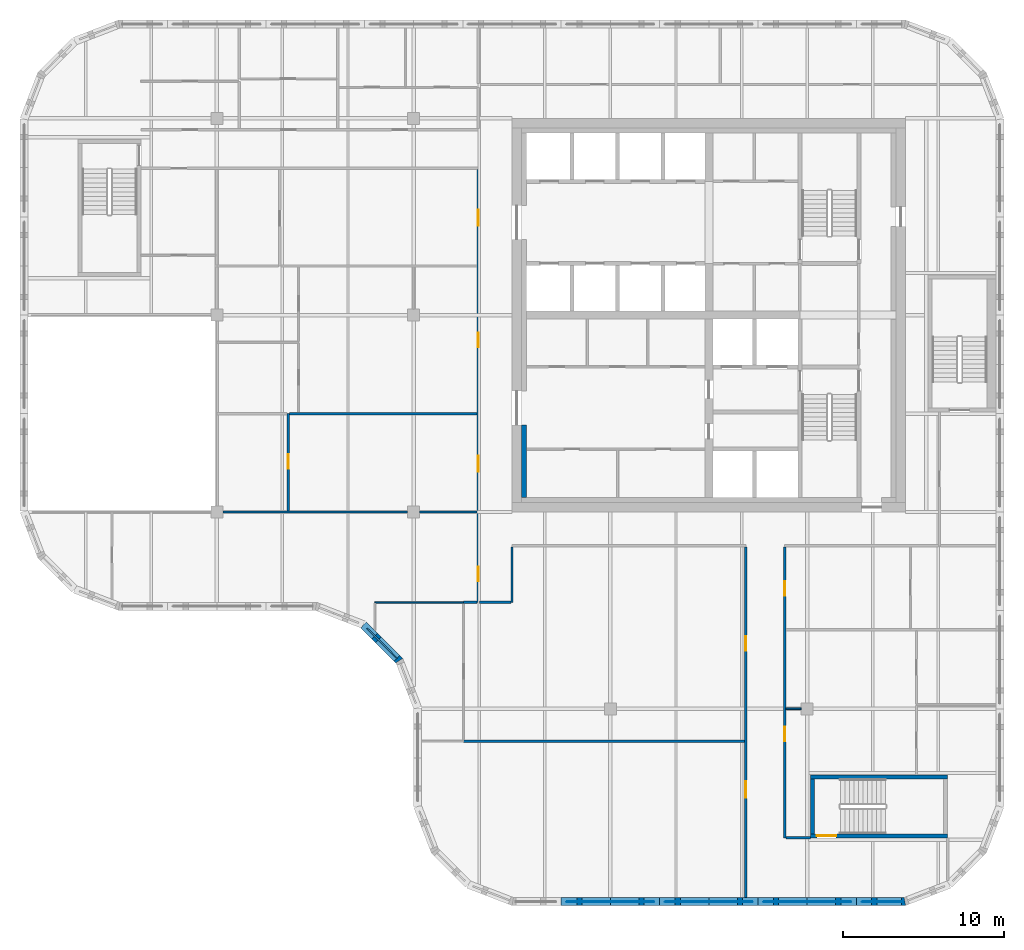
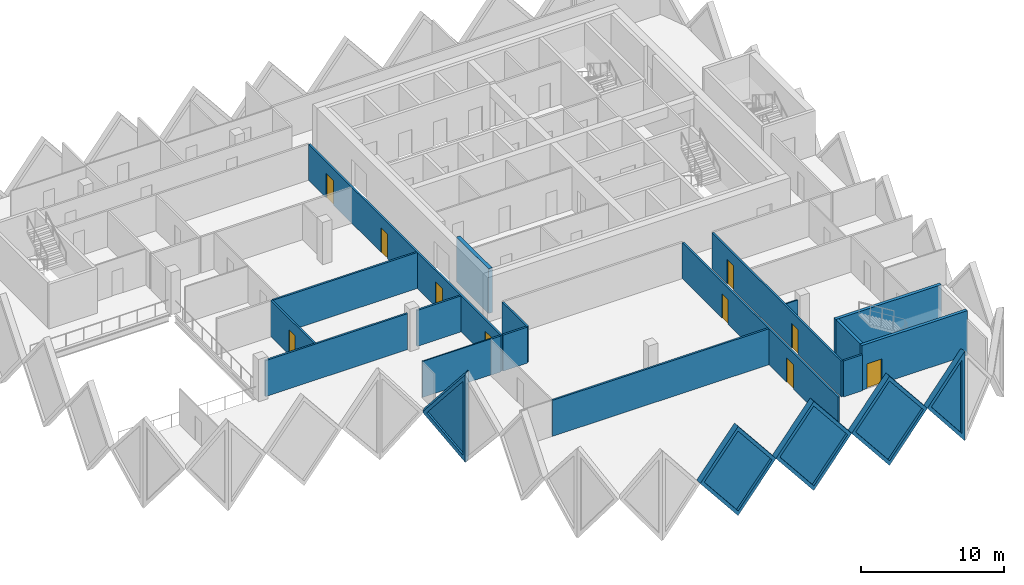
# One storey, part 4 of 11: 23 walls, 10 doors, 5 plates, 15 openings.
"""IFC4 building model written with IfcOpenShell, lengths in metres."""

from ifc_helpers import new_model, si_unit, direction, frame, frame_2d, origin, place, context, subcontext, project, spatial, polyline, rectangle, outline, extrude, faceted_brep, source, transform, mapped, material, layer, layer_set, type_object, element, fill, save


model = new_model("IFC4")

# Units and contexts
model_context = context("Model", 3, precision=1e-05, world=origin(), true_north=direction((0.0, 1.0)))
body_context = subcontext(model_context, "Body", "Model", "MODEL_VIEW")
ifc_project = project(units=[si_unit("LENGTHUNIT", "METRE"), si_unit("AREAUNIT", "SQUARE_METRE"), si_unit("VOLUMEUNIT", "CUBIC_METRE"), si_unit("PLANEANGLEUNIT", "RADIAN"), si_unit("MASSUNIT", "GRAM", prefix="KILO")], contexts=[model_context])

# Site, building, storey
site_placement = place(None, origin())
site = spatial("IfcSite", under=ifc_project, at=site_placement, CompositionType="ELEMENT")
building_placement = place(site_placement, origin())
building = spatial("IfcBuilding", under=site, at=building_placement, Name="Tessera Gate Towers", CompositionType="ELEMENT")
storey_placement = place(building_placement, frame((0.0, 0.0, 170.60009765625)))
storey = spatial("IfcBuildingStorey", under=building, at=storey_placement, Name="L42", CompositionType="ELEMENT", Elevation=170.60009765625)

# Wall, opening, door
ifc_material_1 = material(Name="Concrete C40/50", Category="concrete")
ifc_layer_1 = layer(ifc_material_1, 0.25)
ifc_layer_set_1 = layer_set([ifc_layer_1], Name="CORE ENCLOSURE WALL 250")
wall_type_1 = type_object("IfcWallType", Name="CORE ENCLOSURE WALL 250", PredefinedType="SOLIDWALL", material=ifc_layer_set_1)
wall_1_placement = place(storey_placement, frame((57.5, 4.324951171875, 0.0), z_axis=(0.0, 0.0, 1.0), x_axis=(-1.0, 0.0, 0.0)))
wall_1 = element("IfcWall", 1, at=wall_1_placement, inside=storey, type_object=wall_type_1, Name="L42 ST4 enclosure wall", PredefinedType="SOLIDWALL", context=body_context, shape_type="SweptSolid", body=[
    extrude(rectangle(XDim=8.5, YDim=0.25, at=frame_2d((4.25, 0.0))), origin(), (0.0, 0.0, 1.0), 3.7998046875),
])
shared_shape_1 = source(origin(), body_context, "Body", "SweptSolid", [
    extrude(rectangle(XDim=1.199951171875, YDim=2.10009765625, at=frame_2d((0.60009765625, 1.050048828125))), frame((0.0, 0.135009765625, 0.0), z_axis=(0.0, -1.0, 0.0), x_axis=(1.0, 0.0, 0.0)), (0.0, 0.0, 1.0), 0.27001953125),
])
opening_1_placement = place(wall_1_placement, frame((6.89990234375, 0.0, 0.0)))
opening_1 = element("IfcOpeningElement", 2, at=opening_1_placement, cuts=wall_1, Name="Opening SD-ST4-1", PredefinedType="OPENING", context=body_context, shape_type="MappedRepresentation", body=[
    mapped(shared_shape_1, transform((0.0, 0.0, 0.0), scale=1.0)),
])
ifc_material_2 = material(Name="Hollow steel fire door", Category="steel")
door_type_1 = type_object("IfcDoorType", Name="CORE DOOR SD 1200x2100", OperationType="NOTDEFINED", PredefinedType="DOOR", material=ifc_material_2)
shared_shape_2 = source(origin(), body_context, "Body", "SweptSolid", [
    extrude(rectangle(XDim=1.199951171875, YDim=2.10009765625, at=frame_2d((0.60009765625, 1.050048828125))), frame((0.0, 0.02490234375, 0.0), z_axis=(0.0, -1.0, 0.0), x_axis=(1.0, 0.0, 0.0)), (0.0, 0.0, 1.0), 0.050048828125),
])
door_1_placement = place(opening_1_placement, origin())
door_1 = element("IfcDoor", 3, at=door_1_placement, inside=storey, type_object=door_type_1, Name="Stair door", OperationType="SINGLE_SWING_RIGHT", OverallHeight=2.10009765625, OverallWidth=1.199951171875, PredefinedType="DOOR", context=body_context, shape_type="MappedRepresentation", body=[
    mapped(shared_shape_2, transform((0.0, 0.0, 0.0), scale=1.0)),
])
fill(opening_1, door_1)

# Walls
wall_2_placement = place(storey_placement, frame((49.125, 4.449951171875, 0.0), z_axis=(0.0, 0.0, 1.0), x_axis=(0.0, 1.0, 0.0)))
element("IfcWall", 4, at=wall_2_placement, inside=storey, type_object=wall_type_1, Name="L42 ST4 enclosure wall", PredefinedType="SOLIDWALL", context=body_context, shape_type="SweptSolid", body=[
    extrude(rectangle(XDim=3.400146484375, YDim=0.25, at=frame_2d((1.7001953125, 0.0))), origin(), (0.0, 0.0, 1.0), 3.7998046875),
])
wall_3_placement = place(storey_placement, frame((49.0, 7.97509765625, 0.0), z_axis=(0.0, 0.0, 1.0), x_axis=(1.0, 0.0, 0.0)))
element("IfcWall", 5, at=wall_3_placement, inside=storey, type_object=wall_type_1, Name="L42 ST4 enclosure wall", PredefinedType="SOLIDWALL", context=body_context, shape_type="SweptSolid", body=[
    extrude(rectangle(XDim=8.5, YDim=0.25, at=frame_2d((4.25, 0.0))), origin(), (0.0, 0.0, 1.0), 3.7998046875),
])
ifc_material_3 = material(Name="Concrete C50/60", Category="concrete")
ifc_layer_2 = layer(ifc_material_3, 0.300048828125)
ifc_layer_set_2 = layer_set([ifc_layer_2], Name="CORE WALL THICKENING 300")
wall_type_2 = type_object("IfcWallType", Name="CORE WALL THICKENING 300", PredefinedType="SOLIDWALL", material=ifc_layer_set_2)
wall_4_placement = place(storey_placement, frame((31.25, 25.300048828125, 0.0), z_axis=(0.0, 0.0, 1.0), x_axis=(0.0, 1.0, 0.0)))
element("IfcWall", 6, at=wall_4_placement, inside=storey, type_object=wall_type_2, Name="Core wall thickening W L42", PredefinedType="SOLIDWALL", context=body_context, shape_type="SweptSolid", body=[
    extrude(rectangle(XDim=4.5, YDim=0.300048828125, at=frame_2d((2.25, 0.0))), origin(), (0.0, 0.0, 1.0), 3.7998046875),
])

# Wall, openings, doors
ifc_material_4 = material(Name="Gypsum board on steel studs, mineral wool", Category="steel")
ifc_layer_3 = layer(ifc_material_4, 0.14990234375)
ifc_layer_set_3 = layer_set([ifc_layer_3], Name="CORRIDOR WALL 150")
wall_type_3 = type_object("IfcWallType", Name="CORRIDOR WALL 150", PredefinedType="PARTITIONING", material=ifc_layer_set_3)
wall_5_placement = place(storey_placement, frame((45.0, 0.5, 0.0), z_axis=(0.0, 0.0, 1.0), x_axis=(0.0, 1.0, 0.0)))
wall_5 = element("IfcWall", 7, at=wall_5_placement, inside=storey, type_object=wall_type_3, Name="T1-L42-PW-001", PredefinedType="PARTITIONING", context=body_context, shape_type="SweptSolid", body=[
    extrude(rectangle(XDim=21.72412109375, YDim=0.14990234375, at=frame_2d((10.862060546875, 0.0))), origin(), (0.0, 0.0, 1.0), 3.06689453125),
])
shared_shape_3 = source(origin(), body_context, "Body", "SweptSolid", [
    extrude(rectangle(XDim=1.0, YDim=2.10009765625, at=frame_2d((0.5, 1.050048828125))), frame((0.0, 0.0849609375, 0.0), z_axis=(0.0, -1.0, 0.0), x_axis=(1.0, 0.0, 0.0)), (0.0, 0.0, 1.0), 0.169921875),
])
opening_2_placement = place(wall_5_placement, frame((6.199951171875, 0.0, 0.0)))
opening_2 = element("IfcOpeningElement", 8, at=opening_2_placement, cuts=wall_5, Name="Opening D2100FD60-A15-02", PredefinedType="OPENING", context=body_context, shape_type="MappedRepresentation", body=[
    mapped(shared_shape_3, transform((0.0, 0.0, 0.0), scale=1.0)),
])
shared_shape_4 = source(origin(), body_context, "Body", "SweptSolid", [
    extrude(rectangle(XDim=0.89990234375, YDim=2.10009765625, at=frame_2d((0.449951171875, 1.050048828125))), frame((0.0, 0.0849609375, 0.0), z_axis=(0.0, -1.0, 0.0), x_axis=(1.0, 0.0, 0.0)), (0.0, 0.0, 1.0), 0.169921875),
])
opening_3_placement = place(wall_5_placement, frame((15.300048828125, 0.0, 0.0)))
opening_3 = element("IfcOpeningElement", 9, at=opening_3_placement, cuts=wall_5, Name="Opening D890FD60-A15-09", PredefinedType="OPENING", context=body_context, shape_type="MappedRepresentation", body=[
    mapped(shared_shape_4, transform((0.0, 0.0, 0.0), scale=1.0)),
])
ifc_material_5 = material(Name="Timber door leaf in steel frame", Category="steel")
door_type_2 = type_object("IfcDoorType", Name="CORRIDOR DOOR 900 FD60", OperationType="NOTDEFINED", PredefinedType="DOOR", material=ifc_material_5)
shared_shape_5 = source(origin(), body_context, "Body", "SweptSolid", [
    extrude(rectangle(XDim=0.89990234375, YDim=2.10009765625, at=frame_2d((0.449951171875, 1.050048828125))), frame((0.0, 0.02490234375, 0.0), z_axis=(0.0, -1.0, 0.0), x_axis=(1.0, 0.0, 0.0)), (0.0, 0.0, 1.0), 0.050048828125),
])
door_2_placement = place(opening_3_placement, origin())
door_2 = element("IfcDoor", 10, at=door_2_placement, inside=storey, type_object=door_type_2, Name="T1-L42-PD-026", OperationType="SINGLE_SWING_LEFT", OverallHeight=2.10009765625, OverallWidth=0.89990234375, PredefinedType="DOOR", context=body_context, shape_type="MappedRepresentation", body=[
    mapped(shared_shape_5, transform((0.0, 0.0, 0.0), scale=1.0)),
])
fill(opening_3, door_2)
ifc_material_6 = material(Name="Timber door leaf in steel frame", Category="steel")
door_type_3 = type_object("IfcDoorType", Name="TENANCY ENTRANCE DOOR 1000 FD60", OperationType="NOTDEFINED", PredefinedType="DOOR", material=ifc_material_6)
shared_shape_6 = source(origin(), body_context, "Body", "SweptSolid", [
    extrude(rectangle(XDim=1.0, YDim=2.10009765625, at=frame_2d((0.5, 1.050048828125))), frame((0.0, 0.02490234375, 0.0), z_axis=(0.0, -1.0, 0.0), x_axis=(1.0, 0.0, 0.0)), (0.0, 0.0, 1.0), 0.050048828125),
])
door_3_placement = place(opening_2_placement, origin())
door_3 = element("IfcDoor", 11, at=door_3_placement, inside=storey, type_object=door_type_3, Name="T1-L42-PD-016", OperationType="SINGLE_SWING_LEFT", OverallHeight=2.10009765625, OverallWidth=1.0, PredefinedType="DOOR", context=body_context, shape_type="MappedRepresentation", body=[
    mapped(shared_shape_6, transform((0.0, 0.0, 0.0), scale=1.0)),
])
fill(opening_2, door_3)

wall_6_placement = place(storey_placement, frame((47.39990234375, 22.22412109375, 0.0), z_axis=(0.0, 0.0, 1.0), x_axis=(0.0, -1.0, 0.0)))
wall_6 = element("IfcWall", 12, at=wall_6_placement, inside=storey, type_object=wall_type_3, Name="T1-L42-PW-003", PredefinedType="PARTITIONING", context=body_context, shape_type="SweptSolid", body=[
    extrude(rectangle(XDim=18.024169921875, YDim=0.14990234375, at=frame_2d((9.01220703125, 0.0))), origin(), (0.0, 0.0, 1.0), 3.06689453125),
])
opening_4_placement = place(wall_6_placement, frame((2.123046875, 0.0, 0.0)))
opening_4 = element("IfcOpeningElement", 13, at=opening_4_placement, cuts=wall_6, Name="Opening D890FD60-A15-03", PredefinedType="OPENING", context=body_context, shape_type="MappedRepresentation", body=[
    mapped(shared_shape_4, transform((0.0, 0.0, 0.0), scale=1.0)),
])
opening_5_placement = place(wall_6_placement, frame((11.1240234375, 0.0, 0.0)))
opening_5 = element("IfcOpeningElement", 14, at=opening_5_placement, cuts=wall_6, Name="Opening D890FD60-A15-10", PredefinedType="OPENING", context=body_context, shape_type="MappedRepresentation", body=[
    mapped(shared_shape_4, transform((0.0, 0.0, 0.0), scale=1.0)),
])
door_4_placement = place(opening_4_placement, origin())
door_4 = element("IfcDoor", 15, at=door_4_placement, inside=storey, type_object=door_type_2, Name="T1-L42-PD-011", OperationType="SINGLE_SWING_RIGHT", OverallHeight=2.10009765625, OverallWidth=0.89990234375, PredefinedType="DOOR", context=body_context, shape_type="MappedRepresentation", body=[
    mapped(shared_shape_5, transform((0.0, 0.0, 0.0), scale=1.0)),
])
fill(opening_4, door_4)
door_5_placement = place(opening_5_placement, origin())
door_5 = element("IfcDoor", 16, at=door_5_placement, inside=storey, type_object=door_type_2, Name="T1-L42-PD-027", OperationType="SINGLE_SWING_RIGHT", OverallHeight=2.10009765625, OverallWidth=0.89990234375, PredefinedType="DOOR", context=body_context, shape_type="MappedRepresentation", body=[
    mapped(shared_shape_5, transform((0.0, 0.0, 0.0), scale=1.0)),
])
fill(opening_5, door_5)

# Wall
wall_7_placement = place(storey_placement, frame((47.47607421875, 4.199951171875, 0.0), z_axis=(0.0, 0.0, 1.0), x_axis=(1.0, 0.0, 0.0)))
element("IfcWall", 17, at=wall_7_placement, inside=storey, type_object=wall_type_3, Name="T1-L42-PW-004", PredefinedType="PARTITIONING", context=body_context, shape_type="SweptSolid", body=[
    extrude(rectangle(XDim=1.52392578125, YDim=0.14990234375, at=frame_2d((0.761962890625, 0.0))), origin(), (0.0, 0.0, 1.0), 3.06689453125),
])

# Wall, openings, doors
wall_8_placement = place(storey_placement, frame((28.39990234375, 18.800048828125, 0.0), z_axis=(0.0, 0.0, 1.0), x_axis=(0.0, 1.0, 0.0)))
wall_8 = element("IfcWall", 18, at=wall_8_placement, inside=storey, type_object=wall_type_3, Name="T1-L42-PW-017", PredefinedType="PARTITIONING", context=body_context, shape_type="SweptSolid", body=[
    extrude(rectangle(XDim=26.823974609375, YDim=0.14990234375, at=frame_2d((13.412109375, 0.0))), origin(), (0.0, 0.0, 1.0), 3.06689453125),
])
opening_6_placement = place(wall_8_placement, frame((1.300048828125, 0.0, 0.0)))
opening_6 = element("IfcOpeningElement", 19, at=opening_6_placement, cuts=wall_8, Name="Opening D890FD60-A15-01", PredefinedType="OPENING", context=body_context, shape_type="MappedRepresentation", body=[
    mapped(shared_shape_4, transform((0.0, 0.0, 0.0), scale=1.0)),
])
opening_7_placement = place(wall_8_placement, frame((23.35107421875, 0.0, 0.0)))
opening_7 = element("IfcOpeningElement", 20, at=opening_7_placement, cuts=wall_8, Name="Opening D2100FD60-A15-01", PredefinedType="OPENING", context=body_context, shape_type="MappedRepresentation", body=[
    mapped(shared_shape_3, transform((0.0, 0.0, 0.0), scale=1.0)),
])
opening_8_placement = place(wall_8_placement, frame((8.10009765625, 0.0, 0.0)))
opening_8 = element("IfcOpeningElement", 21, at=opening_8_placement, cuts=wall_8, Name="Opening D2100FD60-A15-03", PredefinedType="OPENING", context=body_context, shape_type="MappedRepresentation", body=[
    mapped(shared_shape_3, transform((0.0, 0.0, 0.0), scale=1.0)),
])
opening_9_placement = place(wall_8_placement, frame((15.800048828125, 0.0, 0.0)))
opening_9 = element("IfcOpeningElement", 22, at=opening_9_placement, cuts=wall_8, Name="Opening D890FD60-A15-08", PredefinedType="OPENING", context=body_context, shape_type="MappedRepresentation", body=[
    mapped(shared_shape_4, transform((0.0, 0.0, 0.0), scale=1.0)),
])
door_6_placement = place(opening_6_placement, origin())
door_6 = element("IfcDoor", 23, at=door_6_placement, inside=storey, type_object=door_type_2, Name="T1-L42-PD-001", OperationType="SINGLE_SWING_LEFT", OverallHeight=2.10009765625, OverallWidth=0.89990234375, PredefinedType="DOOR", context=body_context, shape_type="MappedRepresentation", body=[
    mapped(shared_shape_5, transform((0.0, 0.0, 0.0), scale=1.0)),
])
fill(opening_6, door_6)
door_7_placement = place(opening_9_placement, origin())
door_7 = element("IfcDoor", 24, at=door_7_placement, inside=storey, type_object=door_type_2, Name="T1-L42-PD-025", OperationType="SINGLE_SWING_LEFT", OverallHeight=2.10009765625, OverallWidth=0.89990234375, PredefinedType="DOOR", context=body_context, shape_type="MappedRepresentation", body=[
    mapped(shared_shape_5, transform((0.0, 0.0, 0.0), scale=1.0)),
])
fill(opening_9, door_7)
door_8_placement = place(opening_7_placement, origin())
door_8 = element("IfcDoor", 25, at=door_8_placement, inside=storey, type_object=door_type_3, Name="T1-L42-PD-014", OperationType="SINGLE_SWING_LEFT", OverallHeight=2.10009765625, OverallWidth=1.0, PredefinedType="DOOR", context=body_context, shape_type="MappedRepresentation", body=[
    mapped(shared_shape_6, transform((0.0, 0.0, 0.0), scale=1.0)),
])
fill(opening_7, door_8)
door_9_placement = place(opening_8_placement, origin())
door_9 = element("IfcDoor", 26, at=door_9_placement, inside=storey, type_object=door_type_3, Name="T1-L42-PD-020", OperationType="SINGLE_SWING_LEFT", OverallHeight=2.10009765625, OverallWidth=1.0, PredefinedType="DOOR", context=body_context, shape_type="MappedRepresentation", body=[
    mapped(shared_shape_6, transform((0.0, 0.0, 0.0), scale=1.0)),
])
fill(opening_8, door_9)

# Walls
wall_9_placement = place(storey_placement, frame((28.47607421875, 18.800048828125, 0.0), z_axis=(0.0, 0.0, 1.0), x_axis=(1.0, 0.0, 0.0)))
element("IfcWall", 27, at=wall_9_placement, inside=storey, type_object=wall_type_3, Name="T1-L42-PW-018", PredefinedType="PARTITIONING", context=body_context, shape_type="SweptSolid", body=[
    extrude(rectangle(XDim=1.947998046875, YDim=0.14990234375, at=frame_2d((0.97412109375, 0.0))), origin(), (0.0, 0.0, 1.0), 3.06689453125),
])
wall_10_placement = place(storey_placement, frame((30.5, 18.800048828125, 0.0), z_axis=(0.0, 0.0, 1.0), x_axis=(0.0, 1.0, 0.0)))
element("IfcWall", 28, at=wall_10_placement, inside=storey, type_object=wall_type_3, Name="T1-L42-PW-019", PredefinedType="PARTITIONING", context=body_context, shape_type="SweptSolid", body=[
    extrude(rectangle(XDim=3.424072265625, YDim=0.14990234375, at=frame_2d((1.7119140625, 0.0))), origin(), (0.0, 0.0, 1.0), 3.06689453125),
])
ifc_material_7 = material(Name="Glass", Category="glass")
ifc_layer_4 = layer(ifc_material_7, 0.10009765625)
ifc_layer_set_4 = layer_set([ifc_layer_4], Name="GLAZED PARTITION 100")
wall_type_4 = type_object("IfcWallType", Name="GLAZED PARTITION 100", PredefinedType="PARTITIONING", material=ifc_layer_set_4)
wall_11_placement = place(storey_placement, frame((22.0, 18.800048828125, 0.0), z_axis=(0.0, 0.0, 1.0), x_axis=(1.0, 0.0, 0.0)))
element("IfcWall", 29, at=wall_11_placement, inside=storey, type_object=wall_type_4, Name="T1-L42-PW-015", PredefinedType="PARTITIONING", context=body_context, shape_type="SweptSolid", body=[
    extrude(rectangle(XDim=5.4990234375, YDim=0.10009765625, at=frame_2d((2.74951171875, 0.0))), origin(), (0.0, 0.0, 1.0), 3.06689453125),
])
ifc_material_8 = material(Name="Gypsum board on steel studs", Category="steel")
ifc_layer_5 = layer(ifc_material_8, 0.10009765625)
ifc_layer_set_5 = layer_set([ifc_layer_5], Name="PARTITION 100")
wall_type_5 = type_object("IfcWallType", Name="PARTITION 100", PredefinedType="PARTITIONING", material=ifc_layer_set_5)
wall_12_placement = place(storey_placement, frame((48.425048828125, 12.199951171875, 0.0), z_axis=(0.0, 0.0, 1.0), x_axis=(-1.0, 0.0, 0.0)))
element("IfcWall", 30, at=wall_12_placement, inside=storey, type_object=wall_type_5, Name="T1-L42-PW-009", PredefinedType="PARTITIONING", context=body_context, shape_type="SweptSolid", body=[
    extrude(rectangle(XDim=0.949951171875, YDim=0.10009765625, at=frame_2d((0.47509765625, 0.0))), origin(), (0.0, 0.0, 1.0), 3.06689453125),
])
ifc_material_9 = material(Name="Gypsum board on steel studs, mineral wool", Category="steel")
ifc_layer_6 = layer(ifc_material_9, 0.14990234375)
ifc_layer_set_6 = layer_set([ifc_layer_6], Name="TENANCY WALL 150")
wall_type_6 = type_object("IfcWallType", Name="TENANCY WALL 150", PredefinedType="PARTITIONING", material=ifc_layer_set_6)
wall_13_placement = place(storey_placement, frame((27.5, 10.199951171875, 0.0), z_axis=(0.0, 0.0, 1.0), x_axis=(1.0, 0.0, 0.0)))
element("IfcWall", 31, at=wall_13_placement, inside=storey, type_object=wall_type_6, Name="T1-L42-PW-007", PredefinedType="PARTITIONING", context=body_context, shape_type="SweptSolid", body=[
    extrude(rectangle(XDim=17.424072265625, YDim=0.14990234375, at=frame_2d((8.7119140625, 0.0))), origin(), (0.0, 0.0, 1.0), 3.06689453125),
])
wall_14_placement = place(storey_placement, frame((27.5, 18.800048828125, 0.0), z_axis=(0.0, 0.0, 1.0), x_axis=(1.0, 0.0, 0.0)))
element("IfcWall", 32, at=wall_14_placement, inside=storey, type_object=wall_type_6, Name="T1-L42-PW-016", PredefinedType="PARTITIONING", context=body_context, shape_type="SweptSolid", body=[
    extrude(rectangle(XDim=0.823974609375, YDim=0.14990234375, at=frame_2d((0.412109375, 0.0))), origin(), (0.0, 0.0, 1.0), 3.06689453125),
])
wall_15_placement = place(storey_placement, frame((12.575927734375, 24.39990234375, 0.0), z_axis=(0.0, 0.0, 1.0), x_axis=(1.0, 0.0, 0.0)))
element("IfcWall", 33, at=wall_15_placement, inside=storey, type_object=wall_type_6, Name="T1-L42-PW-025", PredefinedType="PARTITIONING", context=body_context, shape_type="SweptSolid", body=[
    extrude(rectangle(XDim=11.447998046875, YDim=0.14990234375, at=frame_2d((5.72412109375, 0.0))), origin(), (0.0, 0.0, 1.0), 3.06689453125),
])
wall_16_placement = place(storey_placement, frame((24.77587890625, 24.39990234375, 0.0), z_axis=(0.0, 0.0, 1.0), x_axis=(1.0, 0.0, 0.0)))
element("IfcWall", 34, at=wall_16_placement, inside=storey, type_object=wall_type_6, Name="T1-L42-PW-026", PredefinedType="PARTITIONING", context=body_context, shape_type="SweptSolid", body=[
    extrude(rectangle(XDim=3.548095703125, YDim=0.14990234375, at=frame_2d((1.77392578125, 0.0))), origin(), (0.0, 0.0, 1.0), 3.06689453125),
])

# Wall, opening, door
wall_17_placement = place(storey_placement, frame((16.625, 24.47607421875, 0.0), z_axis=(0.0, 0.0, 1.0), x_axis=(0.0, 1.0, 0.0)))
wall_17 = element("IfcWall", 35, at=wall_17_placement, inside=storey, type_object=wall_type_6, Name="T1-L42-PW-027", PredefinedType="PARTITIONING", context=body_context, shape_type="SweptSolid", body=[
    extrude(rectangle(XDim=6.02392578125, YDim=0.14990234375, at=frame_2d((3.011962890625, 0.0))), origin(), (0.0, 0.0, 1.0), 3.06689453125),
])
opening_10_placement = place(wall_17_placement, frame((2.60009765625, 0.0, 0.0)))
opening_10 = element("IfcOpeningElement", 36, at=opening_10_placement, cuts=wall_17, Name="Opening D190-A15-12", PredefinedType="OPENING", context=body_context, shape_type="MappedRepresentation", body=[
    mapped(shared_shape_4, transform((0.0, 0.0, 0.0), scale=1.0)),
])
ifc_material_10 = material(Name="Timber door leaf in steel frame", Category="steel")
door_type_4 = type_object("IfcDoorType", Name="INTERNAL DOOR 900 NOT RATED", OperationType="NOTDEFINED", PredefinedType="DOOR", material=ifc_material_10)
door_10_placement = place(opening_10_placement, origin())
door_10 = element("IfcDoor", 37, at=door_10_placement, inside=storey, type_object=door_type_4, Name="T1-L42-PD-018", OperationType="SINGLE_SWING_LEFT", OverallHeight=2.10009765625, OverallWidth=0.89990234375, PredefinedType="DOOR", context=body_context, shape_type="MappedRepresentation", body=[
    mapped(shared_shape_5, transform((0.0, 0.0, 0.0), scale=1.0)),
])
fill(opening_10, door_10)

# Wall
wall_18_placement = place(storey_placement, frame((16.700927734375, 30.5, 0.0), z_axis=(0.0, 0.0, 1.0), x_axis=(1.0, 0.0, 0.0)))
element("IfcWall", 38, at=wall_18_placement, inside=storey, type_object=wall_type_6, Name="T1-L42-PW-029", PredefinedType="PARTITIONING", context=body_context, shape_type="SweptSolid", body=[
    extrude(rectangle(XDim=11.623046875, YDim=0.14990234375, at=frame_2d((5.8115234375, 0.0))), origin(), (0.0, 0.0, 1.0), 3.06689453125),
])

# Wall, opening, plate
ifc_material_11 = material(Name="Precast concrete C60/75 white", Category="concrete")
ifc_layer_7 = layer(ifc_material_11, 0.5)
ifc_layer_set_7 = layer_set([ifc_layer_7], Name="TS1 tessera")
wall_type_7 = type_object("IfcWallType", Name="TS1 tessera", PredefinedType="SOLIDWALL", material=ifc_layer_set_7)
shared_shape_7 = source(origin(), body_context, "Body", "Brep", [
    faceted_brep([(3.050048828125, -0.25, 0.0), (6.099853515625, -0.25, 3.7998046875), (6.099853515625, -0.25, 3.80029296875), (3.050048828125, -0.25, 7.599853515625), (0.0, -0.25, 3.800048828125), (0.0, 0.25, 3.800048828125), (3.050048828125, 0.25, 7.599853515625), (6.099853515625, 0.25, 3.80029296875), (6.099853515625, 0.25, 3.7998046875), (3.050048828125, 0.25, 0.0)], [[[0, 1, 2, 3, 4]], [[5, 6, 7, 8, 9]], [[9, 8, 1, 0]], [[7, 6, 3, 2]], [[6, 5, 4, 3]], [[5, 9, 0, 4]], [[1, 8, 7, 2]]]),
])
wall_19_placement = place(storey_placement, frame((33.550048828125, 0.25, -3.800048828125), z_axis=(0.0, 0.0, 1.0), x_axis=(1.0, 0.0, 0.0)))
wall_19 = element("IfcWall", 39, at=wall_19_placement, inside=storey, type_object=wall_type_7, Name="Precast tessera T1 TS1-0713", PredefinedType="SOLIDWALL", context=body_context, shape_type="MappedRepresentation", body=[
    mapped(shared_shape_7, transform((0.0, 0.0, 0.0), scale=1.0)),
])
shared_shape_8 = source(origin(), body_context, "Body", "SweptSolid", [
    extrude(outline(polyline([(3.050048828125, 0.3994140625), (5.779541015625, 3.800048828125), (3.050048828125, 7.200439453125), (0.320556640625, 3.800048828125), (3.050048828125, 0.3994140625)])), frame((0.0, 0.260009765625, 0.0), z_axis=(0.0, -1.0, 0.0), x_axis=(1.0, 0.0, 0.0)), (0.0, 0.0, 1.0), 0.52001953125),
])
opening_11_placement = place(wall_19_placement, origin())
opening_11 = element("IfcOpeningElement", 40, at=opening_11_placement, cuts=wall_19, Name="Opening T1-PL2-1459", PredefinedType="OPENING", context=body_context, shape_type="MappedRepresentation", body=[
    mapped(shared_shape_8, transform((0.0, 0.0, 0.0), scale=1.0)),
])
ifc_material_12 = material(Name="Low-e laminated glass", Category="glass")
ifc_layer_8 = layer(ifc_material_12, 0.06005859375)
ifc_layer_set_8 = layer_set([ifc_layer_8], Name="PL2 rhombic pane")
plate_type = type_object("IfcPlateType", Name="PL2 rhombic pane", PredefinedType="SHEET", material=ifc_layer_set_8)
shared_shape_9 = source(origin(), body_context, "Body", "SweptSolid", [
    extrude(outline(polyline([(3.050048828125, 0.3994140625), (5.779541015625, 3.800048828125), (3.050048828125, 7.200439453125), (0.320556640625, 3.800048828125), (3.050048828125, 0.3994140625)])), frame((0.0, 0.030029296875, 0.0), z_axis=(0.0, -1.0, 0.0), x_axis=(1.0, 0.0, 0.0)), (0.0, 0.0, 1.0), 0.06005859375),
])
plate_1_placement = place(opening_11_placement, origin())
plate_1 = element("IfcPlate", 41, at=plate_1_placement, inside=storey, type_object=plate_type, Name="Glass pane T1 PL2-1459", PredefinedType="SHEET", context=body_context, shape_type="MappedRepresentation", body=[
    mapped(shared_shape_9, transform((0.0, 0.0, 0.0), scale=1.0)),
])
fill(opening_11, plate_1)

shared_shape_10 = source(origin(), body_context, "Body", "SweptSolid", [
    extrude(outline(polyline([(3.050048828125, 0.0), (6.10009765625, 3.800048828125), (3.050048828125, 7.599853515625), (0.0, 3.800048828125), (3.050048828125, 0.0)])), frame((0.0, 0.25, 0.0), z_axis=(0.0, -1.0, 0.0), x_axis=(1.0, 0.0, 0.0)), (0.0, 0.0, 1.0), 0.5),
])
wall_20_placement = place(storey_placement, frame((39.64990234375, 0.25, -3.800048828125), z_axis=(0.0, 0.0, 1.0), x_axis=(1.0, 0.0, 0.0)))
wall_20 = element("IfcWall", 42, at=wall_20_placement, inside=storey, type_object=wall_type_7, Name="Precast tessera T1 TS1-0714", PredefinedType="SOLIDWALL", context=body_context, shape_type="MappedRepresentation", body=[
    mapped(shared_shape_10, transform((0.0, 0.0, 0.0), scale=1.0)),
])
opening_12_placement = place(wall_20_placement, origin())
opening_12 = element("IfcOpeningElement", 43, at=opening_12_placement, cuts=wall_20, Name="Opening T1-PL2-1460", PredefinedType="OPENING", context=body_context, shape_type="MappedRepresentation", body=[
    mapped(shared_shape_8, transform((0.0, 0.0, 0.0), scale=1.0)),
])
plate_2_placement = place(opening_12_placement, origin())
plate_2 = element("IfcPlate", 44, at=plate_2_placement, inside=storey, type_object=plate_type, Name="Glass pane T1 PL2-1460", PredefinedType="SHEET", context=body_context, shape_type="MappedRepresentation", body=[
    mapped(shared_shape_9, transform((0.0, 0.0, 0.0), scale=1.0)),
])
fill(opening_12, plate_2)

wall_21_placement = place(storey_placement, frame((45.75, 0.25, -3.800048828125), z_axis=(0.0, 0.0, 1.0), x_axis=(1.0, 0.0, 0.0)))
wall_21 = element("IfcWall", 45, at=wall_21_placement, inside=storey, type_object=wall_type_7, Name="Precast tessera T1 TS1-0715", PredefinedType="SOLIDWALL", context=body_context, shape_type="MappedRepresentation", body=[
    mapped(shared_shape_10, transform((0.0, 0.0, 0.0), scale=1.0)),
])
opening_13_placement = place(wall_21_placement, origin())
opening_13 = element("IfcOpeningElement", 46, at=opening_13_placement, cuts=wall_21, Name="Opening T1-PL2-1461", PredefinedType="OPENING", context=body_context, shape_type="MappedRepresentation", body=[
    mapped(shared_shape_8, transform((0.0, 0.0, 0.0), scale=1.0)),
])
plate_3_placement = place(opening_13_placement, origin())
plate_3 = element("IfcPlate", 47, at=plate_3_placement, inside=storey, type_object=plate_type, Name="Glass pane T1 PL2-1461", PredefinedType="SHEET", context=body_context, shape_type="MappedRepresentation", body=[
    mapped(shared_shape_9, transform((0.0, 0.0, 0.0), scale=1.0)),
])
fill(opening_13, plate_3)

ifc_material_13 = material(Name="Precast concrete C60/75 white", Category="concrete")
ifc_layer_9 = layer(ifc_material_13, 0.5)
ifc_layer_set_9 = layer_set([ifc_layer_9], Name="TS3 corner tessera")
wall_type_8 = type_object("IfcWallType", Name="TS3 corner tessera", PredefinedType="SOLIDWALL", material=ifc_layer_set_9)
shared_shape_11 = source(origin(), body_context, "Body", "Brep", [
    faceted_brep([(3.00341796875, -0.25, 0.0), (3.050048828125, -0.25, 0.06005859375), (3.050048828125, -0.25, 7.539794921875), (3.00341796875, -0.25, 7.599853515625), (0.0, -0.25, 3.800048828125), (0.0, 0.25, 3.800048828125), (2.956787109375, 0.25, 7.541015625), (2.956787109375, 0.25, 0.058837890625), (3.00341796875, 0.000244140625, 0.0), (3.00341796875, 0.000244140625, 7.599853515625)], [[[0, 1, 2, 3, 4]], [[5, 6, 7]], [[1, 0, 8]], [[9, 3, 2]], [[6, 5, 4, 3, 9]], [[5, 7, 8, 0, 4]], [[1, 8, 7, 6, 9, 2]]]),
])
wall_22_placement = place(storey_placement, frame((51.85009765625, 0.25, -3.800048828125), z_axis=(0.0, 0.0, 1.0), x_axis=(1.0, 0.0, 0.0)))
wall_22 = element("IfcWall", 48, at=wall_22_placement, inside=storey, type_object=wall_type_8, Name="Precast corner tessera T1 TS3-0963", PredefinedType="SOLIDWALL", context=body_context, shape_type="MappedRepresentation", body=[
    mapped(shared_shape_11, transform((0.0, 0.0, 0.0), scale=1.0)),
])
shared_shape_12 = source(origin(), body_context, "Body", "SweptSolid", [
    extrude(outline(polyline([(2.803466796875, 6.94384765625), (0.318603515625, 3.800048828125), (2.803466796875, 0.65625), (2.803466796875, 6.94384765625)])), frame((0.0, 0.260009765625, 0.0), z_axis=(0.0, -1.0, 0.0), x_axis=(1.0, 0.0, 0.0)), (0.0, 0.0, 1.0), 0.52001953125),
])
opening_14_placement = place(wall_22_placement, origin())
opening_14 = element("IfcOpeningElement", 49, at=opening_14_placement, cuts=wall_22, Name="Opening T1-PL2-1462", PredefinedType="OPENING", context=body_context, shape_type="MappedRepresentation", body=[
    mapped(shared_shape_12, transform((0.0, 0.0, 0.0), scale=1.0)),
])
shared_shape_13 = source(origin(), body_context, "Body", "SweptSolid", [
    extrude(outline(polyline([(2.803466796875, 6.94384765625), (0.318603515625, 3.800048828125), (2.803466796875, 0.65625), (2.803466796875, 6.94384765625)])), frame((0.0, 0.030029296875, 0.0), z_axis=(0.0, -1.0, 0.0), x_axis=(1.0, 0.0, 0.0)), (0.0, 0.0, 1.0), 0.06005859375),
])
plate_4_placement = place(opening_14_placement, origin())
plate_4 = element("IfcPlate", 50, at=plate_4_placement, inside=storey, type_object=plate_type, Name="Glass pane T1 PL2-1462", PredefinedType="SHEET", context=body_context, shape_type="MappedRepresentation", body=[
    mapped(shared_shape_13, transform((0.0, 0.0, 0.0), scale=1.0)),
])
fill(opening_14, plate_4)

shared_shape_14 = source(origin(), body_context, "Body", "Brep", [
    faceted_brep([(3.10302734375, -0.25, 7.5361328125), (0.052978515625, -0.25, 3.86376953125), (0.052978515625, -0.25, 3.736328125), (3.10302734375, -0.25, 0.063720703125), (0.0, 0.25, 3.800048828125), (3.15576171875, 0.25, 7.599853515625), (3.208740234375, 0.25, 7.535888671875), (3.208740234375, 0.25, 0.06396484375), (3.15576171875, 0.25, 0.0), (3.15576171875, -0.00048828125, 0.0), (3.15576171875, -0.00048828125, 7.599853515625), (0.0, 0.0, 3.800048828125)], [[[0, 1, 2, 3]], [[4, 5, 6, 7, 8]], [[8, 7, 9]], [[6, 5, 10]], [[5, 4, 11, 1, 0, 10]], [[4, 8, 9, 3, 2, 11]], [[2, 1, 11]], [[3, 9, 7, 6, 10, 0]]]),
])
wall_23_placement = place(storey_placement, frame((21.284912109375, 17.41650390625, -3.800048828125), z_axis=(0.0, 0.0, 1.0), x_axis=(0.707106781187, -0.707106781187, 0.0)))
wall_23 = element("IfcWall", 51, at=wall_23_placement, inside=storey, type_object=wall_type_8, Name="Precast corner tessera T1 TS3-0981", PredefinedType="SOLIDWALL", context=body_context, shape_type="MappedRepresentation", body=[
    mapped(shared_shape_14, transform((0.0, 0.0, 0.0), scale=1.0)),
])
shared_shape_15 = source(origin(), body_context, "Body", "SweptSolid", [
    extrude(outline(polyline([(2.955810546875, 6.9677734375), (0.324951171875, 3.800048828125), (2.955810546875, 0.632080078125), (2.955810546875, 6.9677734375)])), frame((0.0, 0.260009765625, 0.0), z_axis=(0.0, -1.0, 0.0), x_axis=(1.0, 0.0, 0.0)), (0.0, 0.0, 1.0), 0.52001953125),
])
opening_15_placement = place(wall_23_placement, origin())
opening_15 = element("IfcOpeningElement", 52, at=opening_15_placement, cuts=wall_23, Name="Opening T1-PL2-1499", PredefinedType="OPENING", context=body_context, shape_type="MappedRepresentation", body=[
    mapped(shared_shape_15, transform((0.0, 0.0, 0.0), scale=1.0)),
])
shared_shape_16 = source(origin(), body_context, "Body", "SweptSolid", [
    extrude(outline(polyline([(2.955810546875, 6.9677734375), (0.324951171875, 3.800048828125), (2.955810546875, 0.632080078125), (2.955810546875, 6.9677734375)])), frame((0.0, 0.030029296875, 0.0), z_axis=(0.0, -1.0, 0.0), x_axis=(1.0, 0.0, 0.0)), (0.0, 0.0, 1.0), 0.06005859375),
])
plate_5_placement = place(opening_15_placement, origin())
plate_5 = element("IfcPlate", 53, at=plate_5_placement, inside=storey, type_object=plate_type, Name="Glass pane T1 PL2-1499", PredefinedType="SHEET", context=body_context, shape_type="MappedRepresentation", body=[
    mapped(shared_shape_16, transform((0.0, 0.0, 0.0), scale=1.0)),
])
fill(opening_15, plate_5)

save(model, "model.ifc")
